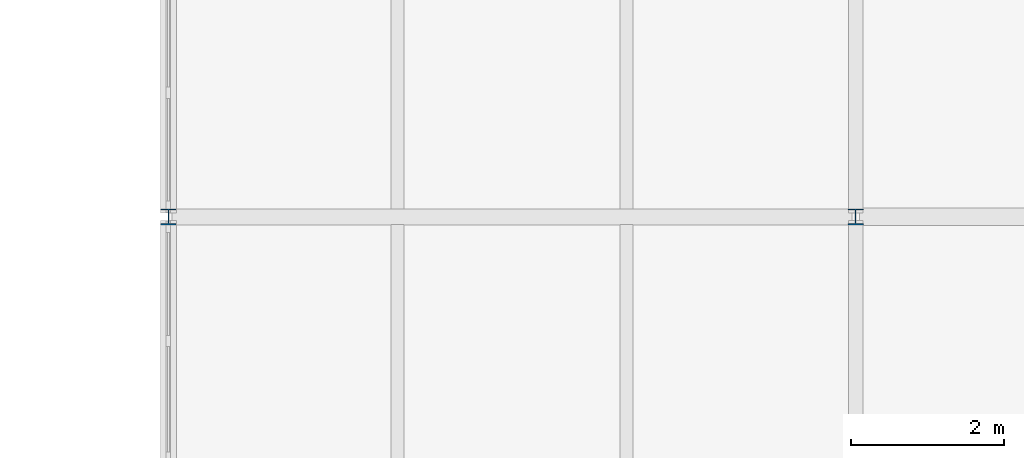
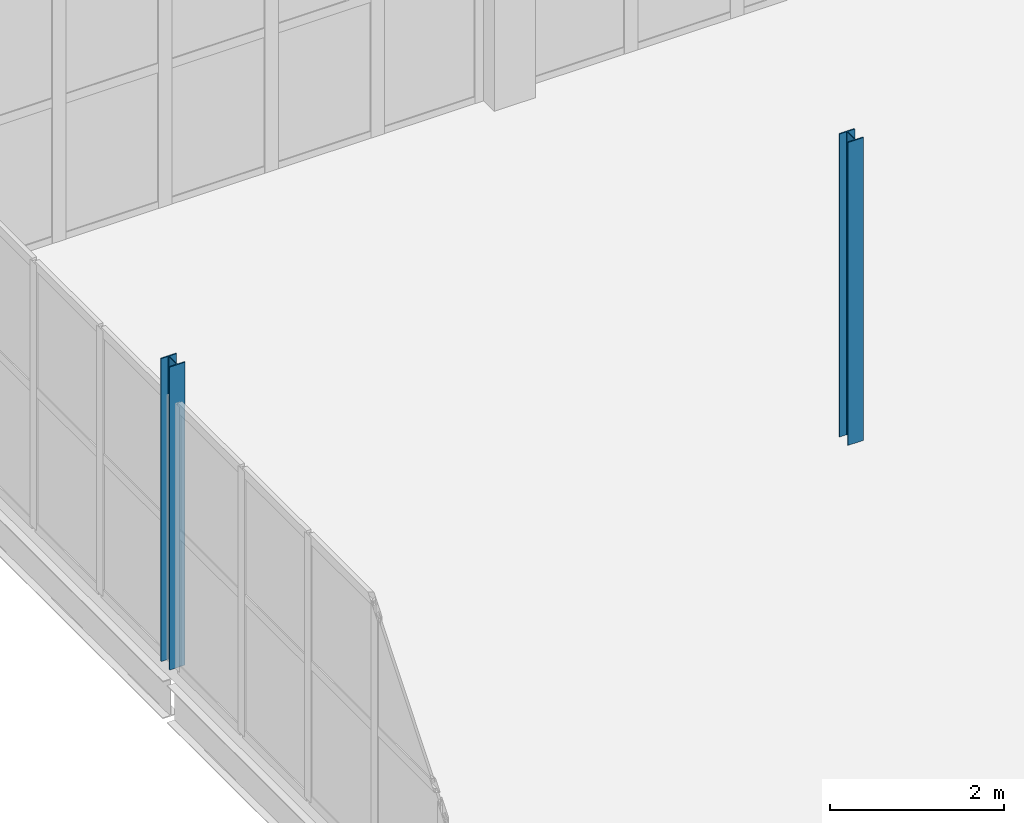
# One storey, part 2 of 54: 2 columns.
"""IFC4 building model written with IfcOpenShell, lengths in metres."""

import ifcopenshell
import ifcopenshell.guid

model = None  # the IFC model being written
_history = None  # IfcOwnerHistory: only IFC2X3 demands one
_inside = {}  # id of a spatial element -> (the spatial element, [elements in it])
_under = {}  # id of a project, library or spatial element -> (it, [spatial elements below it])
_declared = {}  # id of a project -> (the project, [libraries it declares])
_typed = {}  # id of a type object -> (the type object, [elements of that type])
_made_of = {}  # id of a material, layer set ... -> (it, [elements and type objects made of it])


def new_model(schema):
    """Start an empty IFC model of exactly this schema.

    Asked for "IFC4X3", IfcOpenShell would pick the latest addendum, in which some entities
    have other attributes; the version numbers below select the first issue.
    IFC2X3 requires an IfcOwnerHistory on every rooted entity: one is made here for all.
    """
    global model, _history
    if schema == "IFC4X3":
        model = ifcopenshell.file(schema_version=(4, 3, 0, 0))
    else:
        model = ifcopenshell.file(schema=schema)
    _inside.clear()
    _under.clear()
    _declared.clear()
    _typed.clear()
    _made_of.clear()
    _history = None
    if model.schema == "IFC2X3":
        org = make("IfcOrganization", Name="unknown")
        user = make(
            "IfcPersonAndOrganization",
            ThePerson=make("IfcPerson", FamilyName="unknown"),
            TheOrganization=org,
        )
        app = make(
            "IfcApplication",
            ApplicationDeveloper=org,
            Version="unknown",
            ApplicationFullName="unknown",
            ApplicationIdentifier="unknown",
        )
        _history = make(
            "IfcOwnerHistory",
            OwningUser=user,
            OwningApplication=app,
            ChangeAction="ADDED",
            CreationDate=0,
        )
    return model


def make(cls, **values):
    """One entity of the class cls with the attributes given. An attribute that is None is left unset."""
    return model.create_entity(
        cls, **{name: value for name, value in values.items() if value is not None}
    )


def rooted(cls, **values):
    """An entity with a GlobalId (a new one), such as an element, a storey or a relation."""
    return make(cls, GlobalId=ifcopenshell.guid.new(), OwnerHistory=_history, **values)


def si_unit(unit_type, name, prefix=None):
    """IfcSIUnit, for example si_unit("LENGTHUNIT", "METRE", prefix="MILLI")."""
    return make("IfcSIUnit", UnitType=unit_type, Prefix=prefix, Name=name)


def assignment(units):
    """IfcUnitAssignment: the units of a project."""
    return None if units is None else make("IfcUnitAssignment", Units=units)


def point(xyz):
    """IfcCartesianPoint."""
    return None if xyz is None else make("IfcCartesianPoint", Coordinates=xyz)


def direction(xyz):
    """IfcDirection."""
    return None if xyz is None else make("IfcDirection", DirectionRatios=xyz)


def frame(location, z_axis=None, x_axis=None):
    """IfcAxis2Placement3D, a coordinate frame: its origin and axes. An axis left out is left unset."""
    return make(
        "IfcAxis2Placement3D",
        Location=point(location),
        Axis=direction(z_axis),
        RefDirection=direction(x_axis),
    )


def frame_2d(location, x_axis=None):
    """IfcAxis2Placement2D, a coordinate frame in the plane: its origin and x axis."""
    return make(
        "IfcAxis2Placement2D", Location=point(location), RefDirection=direction(x_axis)
    )


def origin():
    """The frame at (0, 0, 0) with its axes left unset."""
    return frame((0.0, 0.0, 0.0))


def origin_2d():
    """The frame at (0, 0) in the plane with its x axis left unset."""
    return frame_2d((0.0, 0.0))


def place(relative_to, where):
    """IfcLocalPlacement: puts the frame where relative to a parent placement (None: the world)."""
    return make(
        "IfcLocalPlacement", PlacementRelTo=relative_to, RelativePlacement=where
    )


def context(
    kind, dimensions, precision=None, world=None, true_north=None, identifier=None
):
    """IfcGeometricRepresentationContext, for example the 3D "Model" context."""
    return make(
        "IfcGeometricRepresentationContext",
        ContextIdentifier=identifier,
        ContextType=kind,
        CoordinateSpaceDimension=dimensions,
        Precision=precision,
        WorldCoordinateSystem=world,
        TrueNorth=true_north,
    )


def subcontext(parent, identifier, kind, view, scale=None):
    """IfcGeometricRepresentationSubContext, for example "Body" below "Model"."""
    return make(
        "IfcGeometricRepresentationSubContext",
        ContextIdentifier=identifier,
        ContextType=kind,
        ParentContext=parent,
        TargetScale=scale,
        TargetView=view,
    )


def project(units=None, contexts=None):
    """IfcProject with its units and contexts."""
    return rooted(
        "IfcProject",
        Name="project",
        RepresentationContexts=contexts,
        UnitsInContext=assignment(units),
    )


def spatial(cls, under=None, at=None, **own):
    """A site, building, storey or space (cls), placed at a placement, below another one or the project."""
    s = rooted(cls, ObjectPlacement=at, **own)
    if under is not None:
        _under.setdefault(under.id(), (under, []))[1].append(s)
    return s


def profile(cls, at=None, kind="AREA", **sizes):
    """A parametric profile (cls). Its sizes go by their IFC names, for example OverallWidth=200.0."""
    return make(cls, ProfileType=kind, Position=at, **sizes)


def i_section(**sizes):
    """IfcIShapeProfileDef."""
    return profile("IfcIShapeProfileDef", **sizes)


def extrude(swept, where, along, depth):
    """IfcExtrudedAreaSolid: the profile swept, set in the frame where, extruded along a direction by depth."""
    return make(
        "IfcExtrudedAreaSolid",
        SweptArea=swept,
        Position=where,
        ExtrudedDirection=direction(along),
        Depth=depth,
    )


def shape(context_of_items, identifier, shape_type, items):
    """IfcShapeRepresentation: the items that make up one representation, for example the "Body"."""
    return make(
        "IfcShapeRepresentation",
        ContextOfItems=context_of_items,
        RepresentationIdentifier=identifier,
        RepresentationType=shape_type,
        Items=items,
    )


def material(Name=None, Category=None):
    """IfcMaterial."""
    return make("IfcMaterial", Name=Name, Category=Category)


def material_profile(
    of_material, cross_section, Name=None, Category=None, Priority=None
):
    """IfcMaterialProfile: a cross section and its material."""
    return make(
        "IfcMaterialProfile",
        Name=Name,
        Material=of_material,
        Profile=cross_section,
        Priority=Priority,
        Category=Category,
    )


def profile_set(profiles, Name=None, composite=None):
    """IfcMaterialProfileSet."""
    return make(
        "IfcMaterialProfileSet",
        Name=Name,
        MaterialProfiles=profiles,
        CompositeProfile=composite,
    )


def made_of(thing, what):
    """Note that an element or type object is made of a material, layer set ...; save() writes the relation."""
    if what is not None:
        _made_of.setdefault(what.id(), (what, []))[1].append(thing)
    return thing


def type_object(cls, material=None, **own):
    """A type object (cls), such as IfcWallType, which elements share."""
    return made_of(rooted(cls, **own), material)


def element(
    cls,
    number,
    at=None,
    inside=None,
    cuts=None,
    type_object=None,
    material=None,
    context=None,
    identifier="Body",
    shape_type=None,
    held_by="IfcProductDefinitionShape",
    body=None,
    shapes=None,
    **own,
):
    """One element of the class cls, such as IfcWall. Its Tag is "e" and its number.

    at: its placement. inside: the storey or other place that contains it. cuts: it is an
    opening in that element (IfcRelVoidsElement). A single representation is given by context,
    identifier, shape_type and body (its items); several are given by shapes. held_by: the class
    of the entity that holds the representations. save() writes the other relations.
    """
    e = rooted(cls, Tag="e%d" % number, ObjectPlacement=at, **own)
    if body is not None:
        shapes = [shape(context, identifier, shape_type, body)]
    if shapes is not None:
        e.Representation = make(held_by, Representations=shapes)
    if inside is not None:
        _inside.setdefault(inside.id(), (inside, []))[1].append(e)
    if cuts is not None:
        rooted(
            "IfcRelVoidsElement", RelatingBuildingElement=cuts, RelatedOpeningElement=e
        )
    if type_object is not None:
        _typed.setdefault(type_object.id(), (type_object, []))[1].append(e)
    return made_of(e, material)


def aggregate(whole, parts):
    """IfcRelAggregates: a whole, such as a stair, and the parts it consists of."""
    return rooted("IfcRelAggregates", RelatingObject=whole, RelatedObjects=parts)


def save(model, path):
    """Write the relations noted so far, then the file.

    IfcRelAggregates (storeys below a building ...), IfcRelContainedInSpatialStructure (elements
    in a storey), IfcRelDefinesByType, IfcRelAssociatesMaterial and IfcRelDeclares: one each for
    every whole, place, type object, material and project.
    """
    for whole, parts in _under.values():
        aggregate(whole, parts)
    for where, things in _inside.values():
        rooted(
            "IfcRelContainedInSpatialStructure",
            RelatedElements=things,
            RelatingStructure=where,
        )
    for kind, things in _typed.values():
        rooted("IfcRelDefinesByType", RelatedObjects=things, RelatingType=kind)
    for what, things in _made_of.values():
        rooted("IfcRelAssociatesMaterial", RelatedObjects=things, RelatingMaterial=what)
    for by, libraries in _declared.values():
        rooted("IfcRelDeclares", RelatingContext=by, RelatedDefinitions=libraries)
    model.write(path)


model = new_model("IFC4")

# Units and contexts
model_context = context("Model", 3, precision=1e-05, world=origin(), true_north=direction((0.0, 1.0)))
body_context = subcontext(model_context, "Body", "Model", "MODEL_VIEW")
ifc_project = project(units=[si_unit("LENGTHUNIT", "METRE"), si_unit("AREAUNIT", "SQUARE_METRE"), si_unit("VOLUMEUNIT", "CUBIC_METRE"), si_unit("PLANEANGLEUNIT", "RADIAN"), si_unit("MASSUNIT", "GRAM", prefix="KILO")], contexts=[model_context])

# Site, building, storey
site_placement = place(None, origin())
site = spatial("IfcSite", under=ifc_project, at=site_placement, CompositionType="ELEMENT")
building_placement = place(site_placement, origin())
building = spatial("IfcBuilding", under=site, at=building_placement, Name="Marnock Terrace Opera House", CompositionType="ELEMENT")
storey_placement = place(building_placement, frame((0.0, 0.0, 19.199951171875)))
storey = spatial("IfcBuildingStorey", under=building, at=storey_placement, Name="L04", CompositionType="ELEMENT", Elevation=19.199951171875)

# Columns
ifc_material = material(Name="Steel Grade 350 (AS/NZS 3679.1)", Category="steel")
ifc_material_profile = material_profile(ifc_material, i_section(OverallWidth=0.205078125, OverallDepth=0.209716796875, WebThickness=0.00927734375, FlangeThickness=0.01416015625, FilletRadius=0.011474609375, at=origin_2d()))
ifc_profile_set = profile_set([ifc_material_profile], Name="Steel Grade 350 (AS/NZS 3679.1)")
column_type = type_object("IfcColumnType", Name="COL-UC200", PredefinedType="COLUMN", material=ifc_profile_set)
for number, where, z_axis, x_axis, name in (
    (1, (118.0, 32.0, 0.0), (0.0, 0.0, 1.0), (1.0, 0.0, 0.0), "L04 column at (118.0, 32.0)"),
    (2, (127.0, 32.0, 0.0), (0.0, 0.0, 1.0), (1.0, 0.0, 0.0), "L04 column at (127.0, 32.0)"),
):
    element("IfcColumn", number, at=place(storey_placement, frame(where, z_axis=z_axis, x_axis=x_axis)), inside=storey, type_object=column_type, Name=name, PredefinedType="COLUMN", context=body_context, shape_type="SweptSolid", body=[
        extrude(i_section(OverallWidth=0.205078125, OverallDepth=0.209716796875, WebThickness=0.00927734375, FlangeThickness=0.01416015625, FilletRadius=0.011474609375, at=origin_2d()), origin(), (0.0, 0.0, 1.0), 4.25),
    ])

save(model, "model.ifc")
